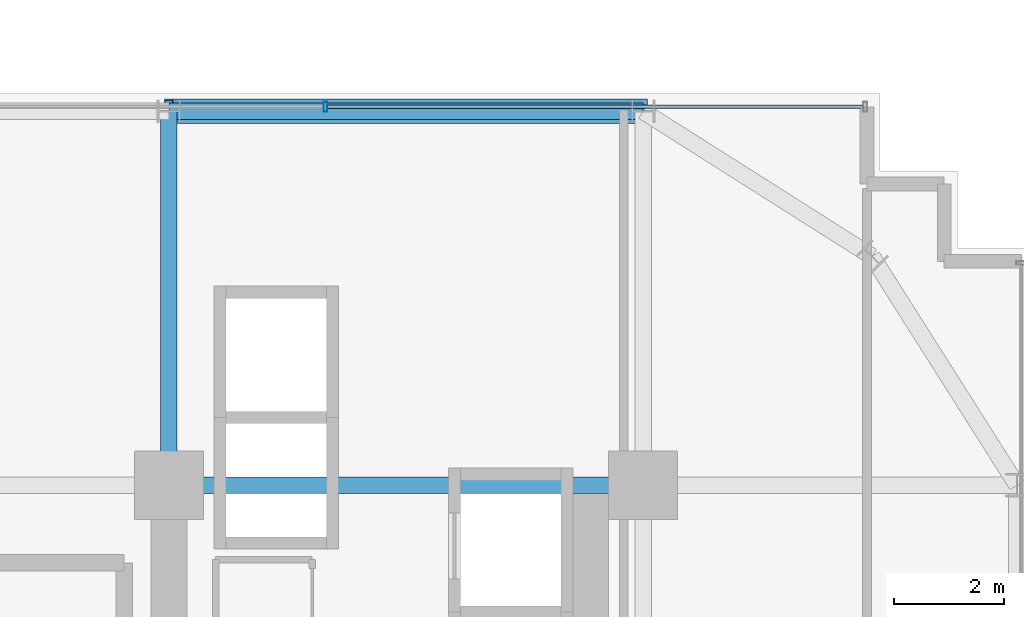
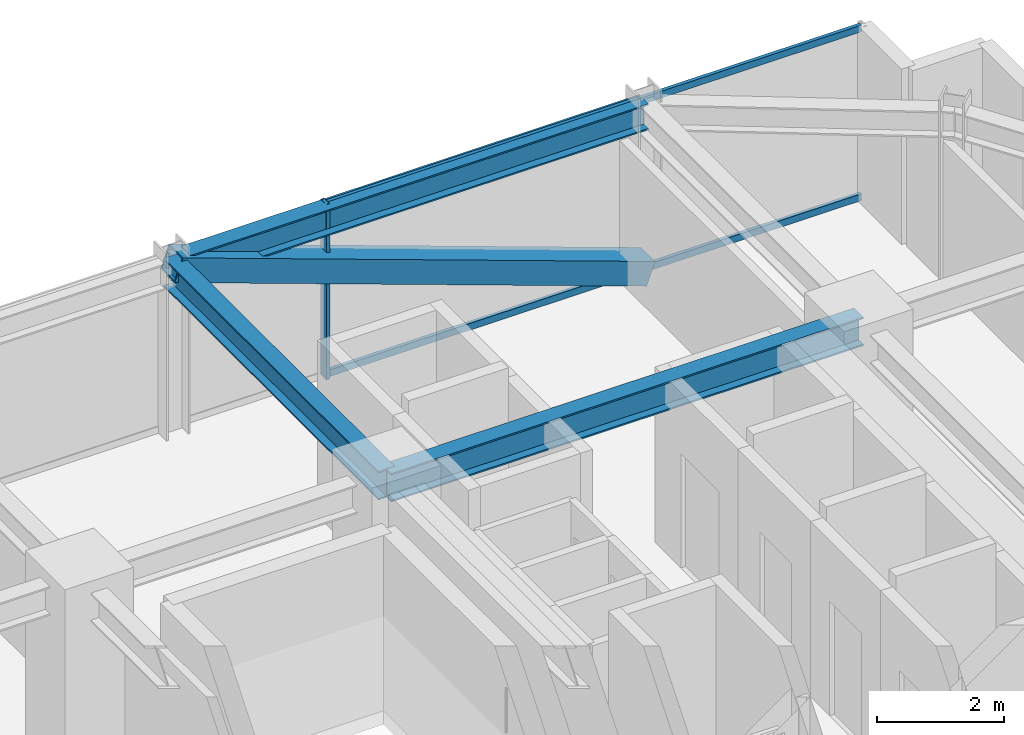
# One storey, part 24 of 34: 4 members, 3 beams, 1 element without a shape of its own.
"""IFC4 building model written with IfcOpenShell, lengths in metres."""

from ifc_helpers import new_model, si_unit, direction, frame, origin, origin_2d, place, context, subcontext, project, spatial, hollow_rectangle, i_section, extrude, source, transform, mapped, material, material_profile, profile_set, type_object, element, aggregate, save


model = new_model("IFC4")

# Units and contexts
model_context = context("Model", 3, precision=1e-05, world=origin(), true_north=direction((0.0, 1.0)))
body_context = subcontext(model_context, "Body", "Model", "MODEL_VIEW")
ifc_project = project(units=[si_unit("LENGTHUNIT", "METRE"), si_unit("AREAUNIT", "SQUARE_METRE"), si_unit("VOLUMEUNIT", "CUBIC_METRE"), si_unit("PLANEANGLEUNIT", "RADIAN"), si_unit("MASSUNIT", "GRAM", prefix="KILO")], contexts=[model_context])

# Site, building, storey
site_placement = place(None, origin())
site = spatial("IfcSite", under=ifc_project, at=site_placement, CompositionType="ELEMENT")
building_placement = place(site_placement, origin())
building = spatial("IfcBuilding", under=site, at=building_placement, Name="Nahalor Promenade Grand Hotel", CompositionType="ELEMENT")
storey_placement = place(building_placement, frame((0.0, 0.0, 99.25)))
storey = spatial("IfcBuildingStorey", under=building, at=storey_placement, Name="L24", CompositionType="ELEMENT", Elevation=99.25)

# Beams
ifc_material_1 = material(Name="Steel S355JR", Category="steel")
ifc_material_profile_1 = material_profile(ifc_material_1, i_section(OverallWidth=0.3, OverallDepth=0.5, WebThickness=0.0145, FlangeThickness=0.028, at=origin_2d()), Name="HEB 500")
ifc_profile_set_1 = profile_set([ifc_material_profile_1], Name="Steel S355JR")
beam_type_1 = type_object("IfcBeamType", Name="Beam-Spandrel-HEB500", PredefinedType="SPANDREL", material=ifc_profile_set_1)
shared_shape_1 = source(origin(), body_context, "Body", "SweptSolid", [
    extrude(i_section(OverallWidth=0.3, OverallDepth=0.5, WebThickness=0.0145, FlangeThickness=0.028, at=origin_2d()), origin(), (0.0, 0.0, 1.0), 8.60009765625),
])
beam_1_placement = place(storey_placement, frame((8.39990234375, 23.780029296875, 3.1298828125), z_axis=(1.0, 0.0, 0.0), x_axis=(0.0, 1.0, 0.0)))
element("IfcBeam", 1, at=beam_1_placement, inside=storey, type_object=beam_type_1, Name="BM-L24-SP-N-4", PredefinedType="SPANDREL", context=body_context, shape_type="MappedRepresentation", body=[
    mapped(shared_shape_1, transform((0.0, 0.0, 0.0), scale=1.0)),
])
ifc_material_profile_2 = material_profile(ifc_material_1, i_section(OverallWidth=0.3, OverallDepth=0.55, WebThickness=0.015, FlangeThickness=0.029, at=origin_2d()), Name="HEB 550")
ifc_profile_set_2 = profile_set([ifc_material_profile_2], Name="Steel S355JR")
beam_type_2 = type_object("IfcBeamType", Name="Beam-Girder-HEB550", PredefinedType="BEAM", material=ifc_profile_set_2)
shared_shape_2 = source(origin(), body_context, "Body", "SweptSolid", [
    extrude(i_section(OverallWidth=0.3, OverallDepth=0.55, WebThickness=0.015, FlangeThickness=0.029, at=origin_2d()), origin(), (0.0, 0.0, 1.0), 6.780029296875),
])
beam_2_placement = place(storey_placement, frame((8.39990234375, 17.0, 3.10498046875), z_axis=(0.0, 1.0, 0.0), x_axis=(-1.0, 0.0, 0.0)))
element("IfcBeam", 2, at=beam_2_placement, inside=storey, type_object=beam_type_2, Name="BM-L24-GY-4-4", PredefinedType="BEAM", context=body_context, shape_type="MappedRepresentation", body=[
    mapped(shared_shape_2, transform((0.0, 0.0, 0.0), scale=1.0)),
])
shared_shape_3 = source(origin(), body_context, "Body", "SweptSolid", [
    extrude(i_section(OverallWidth=0.3, OverallDepth=0.55, WebThickness=0.015, FlangeThickness=0.029, at=origin_2d()), origin(), (0.0, 0.0, 1.0), 8.60009765625),
])
beam_3_placement = place(storey_placement, frame((8.39990234375, 17.0, 3.10498046875), z_axis=(1.0, 0.0, 0.0), x_axis=(0.0, 1.0, 0.0)))
element("IfcBeam", 3, at=beam_3_placement, inside=storey, type_object=beam_type_2, Name="BM-L24-GX-3-5", PredefinedType="BEAM", context=body_context, shape_type="MappedRepresentation", body=[
    mapped(shared_shape_3, transform((0.0, 0.0, 0.0), scale=1.0)),
])

# Member
ifc_material_2 = material(Name="Steel S355J2", Category="steel")
ifc_material_profile_3 = material_profile(ifc_material_2, hollow_rectangle(XDim=0.45, YDim=0.45, WallThickness=0.025, at=origin_2d()), Name="SHS 450x450x25")
ifc_profile_set_3 = profile_set([ifc_material_profile_3], Name="Steel S355J2")
member_type_1 = type_object("IfcMemberType", Name="Mem-ExoBrace-SHS450", PredefinedType="BRACE", material=ifc_profile_set_3)
shared_shape_4 = source(origin(), body_context, "Body", "SweptSolid", [
    extrude(hollow_rectangle(XDim=0.45, YDim=0.45, WallThickness=0.025, at=origin_2d()), origin(), (0.0, 0.0, 1.0), 9.135009765625),
])
member_1_placement = place(storey_placement, frame((17.0, 23.780029296875, 0.14990234375), z_axis=(-0.941442840152, 0.0, 0.337172624521), x_axis=(0.0, -1.0, 0.0)))
element("IfcMember", 4, at=member_1_placement, inside=storey, type_object=member_type_1, Name="EXO-L24-N-1", PredefinedType="BRACE", context=body_context, shape_type="MappedRepresentation", body=[
    mapped(shared_shape_4, transform((0.0, 0.0, 0.0), scale=1.0)),
])

# Curtain wall, members
ifc_material_3 = material(Name="Anodised Bronze Aluminium EN AW-6063 T6", Category="aluminium")
curtain_wall_type = type_object("IfcCurtainWallType", Name="CW2 Typical Hotel Flush Bronze Unitised Curtain Wall", PredefinedType="USERDEFINED", material=ifc_material_3)
curtain_wall_placement = place(storey_placement, origin())
curtain_wall = element("IfcCurtainWall", 5, at=curtain_wall_placement, inside=storey, type_object=curtain_wall_type, Name="L24 Curtain Wall CW-L24-N-3", ObjectType="UNITISED_CURTAIN_WALL", PredefinedType="USERDEFINED")
ifc_material_profile_4 = material_profile(ifc_material_3, hollow_rectangle(XDim=0.065, YDim=0.18, WallThickness=0.004, at=origin_2d()), Name="CWM 65x180x4")
ifc_profile_set_4 = profile_set([ifc_material_profile_4], Name="Anodised Bronze Aluminium EN AW-6063 T6")
member_type_2 = type_object("IfcMemberType", Name="CWM2 Typical Bronze Mullion 65x180", PredefinedType="MULLION", material=ifc_profile_set_4)
shared_shape_5 = source(origin(), body_context, "Body", "SweptSolid", [
    extrude(hollow_rectangle(XDim=0.065, YDim=0.18, WallThickness=0.004, at=origin_2d()), origin(), (0.0, 0.0, 1.0), 3.3798828125),
])
member_2_placement = place(storey_placement, frame((11.239990234375, 23.860107421875, 0.0), z_axis=(0.0, 0.0, 1.0), x_axis=(1.0, 0.0, 0.0)))
member_2 = element("IfcMember", 6, at=member_2_placement, type_object=member_type_2, Name="CW-L24-N-3 Mullion 2", PredefinedType="MULLION", context=body_context, shape_type="MappedRepresentation", body=[
    mapped(shared_shape_5, transform((0.0, 0.0, 0.0), scale=1.0)),
])
ifc_material_profile_5 = material_profile(ifc_material_3, hollow_rectangle(XDim=0.065, YDim=0.13, WallThickness=0.004, at=origin_2d()), Name="CWT 65x130x4")
ifc_profile_set_5 = profile_set([ifc_material_profile_5], Name="Anodised Bronze Aluminium EN AW-6063 T6")
member_type_3 = type_object("IfcMemberType", Name="CWT2 Typical Bronze Transom 65x130", PredefinedType="USERDEFINED", material=ifc_profile_set_5)
shared_shape_6 = source(origin(), body_context, "Body", "SweptSolid", [
    extrude(hollow_rectangle(XDim=0.065, YDim=0.13, WallThickness=0.004, at=origin_2d()), origin(), (0.0, 0.0, 1.0), 9.72265625),
])
member_3_placement = place(storey_placement, frame((11.2724609375, 23.860107421875, 0.06494140625), z_axis=(1.0, 0.0, 0.0), x_axis=(0.0, 1.0, 0.0)))
member_3 = element("IfcMember", 7, at=member_3_placement, type_object=member_type_3, Name="CW-L24-N-3 Transom 2-0", ObjectType="TRANSOM", PredefinedType="USERDEFINED", context=body_context, shape_type="MappedRepresentation", body=[
    mapped(shared_shape_6, transform((0.0, 0.0, 0.0), scale=1.0)),
])
member_4_placement = place(storey_placement, frame((11.2724609375, 23.860107421875, 3.31494140625), z_axis=(1.0, 0.0, 0.0), x_axis=(0.0, 1.0, 0.0)))
member_4 = element("IfcMember", 8, at=member_4_placement, type_object=member_type_3, Name="CW-L24-N-3 Transom 2-1", ObjectType="TRANSOM", PredefinedType="USERDEFINED", context=body_context, shape_type="MappedRepresentation", body=[
    mapped(shared_shape_6, transform((0.0, 0.0, 0.0), scale=1.0)),
])
aggregate(curtain_wall, [member_2, member_3, member_4])

save(model, "model.ifc")
